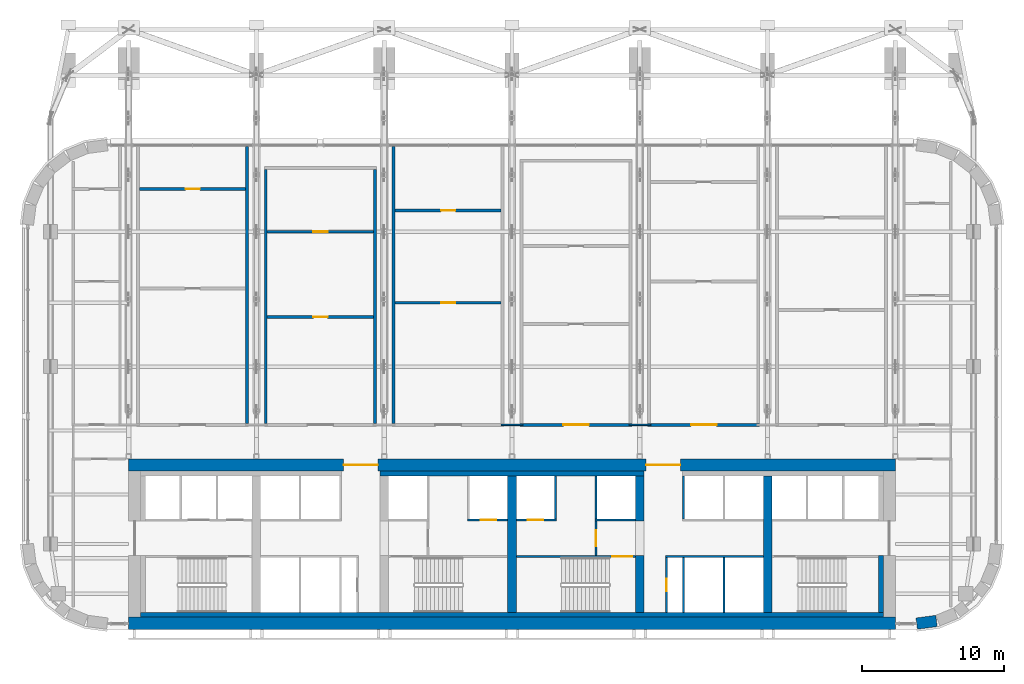
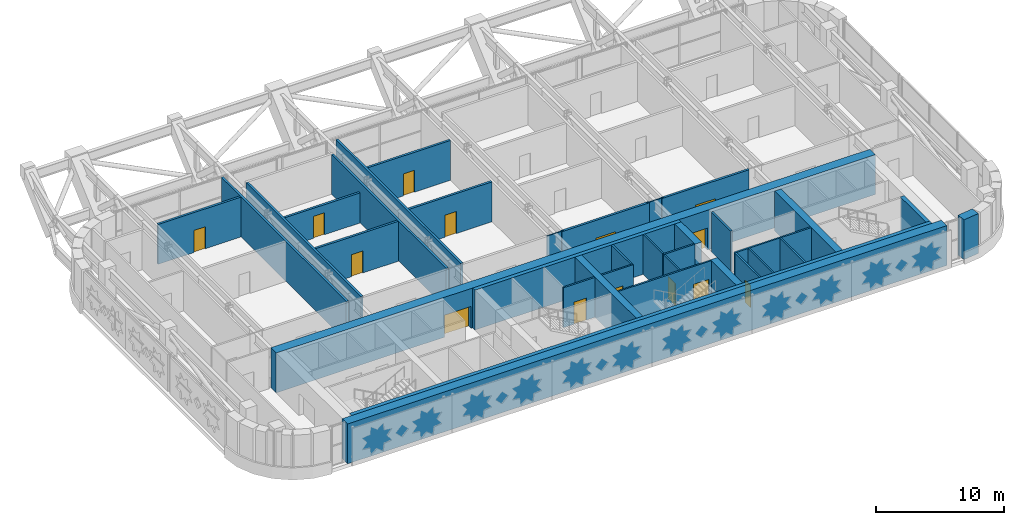
# One storey, part 13 of 23: 35 walls, 14 doors, 14 openings.
"""IFC4 building model written with IfcOpenShell, lengths in metres."""

import ifcopenshell
import ifcopenshell.guid

model = None  # the IFC model being written
_history = None  # IfcOwnerHistory: only IFC2X3 demands one
_inside = {}  # id of a spatial element -> (the spatial element, [elements in it])
_under = {}  # id of a project, library or spatial element -> (it, [spatial elements below it])
_declared = {}  # id of a project -> (the project, [libraries it declares])
_typed = {}  # id of a type object -> (the type object, [elements of that type])
_made_of = {}  # id of a material, layer set ... -> (it, [elements and type objects made of it])


def new_model(schema):
    """Start an empty IFC model of exactly this schema.

    Asked for "IFC4X3", IfcOpenShell would pick the latest addendum, in which some entities
    have other attributes; the version numbers below select the first issue.
    IFC2X3 requires an IfcOwnerHistory on every rooted entity: one is made here for all.
    """
    global model, _history
    if schema == "IFC4X3":
        model = ifcopenshell.file(schema_version=(4, 3, 0, 0))
    else:
        model = ifcopenshell.file(schema=schema)
    _inside.clear()
    _under.clear()
    _declared.clear()
    _typed.clear()
    _made_of.clear()
    _history = None
    if model.schema == "IFC2X3":
        org = make("IfcOrganization", Name="unknown")
        user = make(
            "IfcPersonAndOrganization",
            ThePerson=make("IfcPerson", FamilyName="unknown"),
            TheOrganization=org,
        )
        app = make(
            "IfcApplication",
            ApplicationDeveloper=org,
            Version="unknown",
            ApplicationFullName="unknown",
            ApplicationIdentifier="unknown",
        )
        _history = make(
            "IfcOwnerHistory",
            OwningUser=user,
            OwningApplication=app,
            ChangeAction="ADDED",
            CreationDate=0,
        )
    return model


def make(cls, **values):
    """One entity of the class cls with the attributes given. An attribute that is None is left unset."""
    return model.create_entity(
        cls, **{name: value for name, value in values.items() if value is not None}
    )


def rooted(cls, **values):
    """An entity with a GlobalId (a new one), such as an element, a storey or a relation."""
    return make(cls, GlobalId=ifcopenshell.guid.new(), OwnerHistory=_history, **values)


def si_unit(unit_type, name, prefix=None):
    """IfcSIUnit, for example si_unit("LENGTHUNIT", "METRE", prefix="MILLI")."""
    return make("IfcSIUnit", UnitType=unit_type, Prefix=prefix, Name=name)


def assignment(units):
    """IfcUnitAssignment: the units of a project."""
    return None if units is None else make("IfcUnitAssignment", Units=units)


def point(xyz):
    """IfcCartesianPoint."""
    return None if xyz is None else make("IfcCartesianPoint", Coordinates=xyz)


def direction(xyz):
    """IfcDirection."""
    return None if xyz is None else make("IfcDirection", DirectionRatios=xyz)


def frame(location, z_axis=None, x_axis=None):
    """IfcAxis2Placement3D, a coordinate frame: its origin and axes. An axis left out is left unset."""
    return make(
        "IfcAxis2Placement3D",
        Location=point(location),
        Axis=direction(z_axis),
        RefDirection=direction(x_axis),
    )


def frame_2d(location, x_axis=None):
    """IfcAxis2Placement2D, a coordinate frame in the plane: its origin and x axis."""
    return make(
        "IfcAxis2Placement2D", Location=point(location), RefDirection=direction(x_axis)
    )


def origin():
    """The frame at (0, 0, 0) with its axes left unset."""
    return frame((0.0, 0.0, 0.0))


def place(relative_to, where):
    """IfcLocalPlacement: puts the frame where relative to a parent placement (None: the world)."""
    return make(
        "IfcLocalPlacement", PlacementRelTo=relative_to, RelativePlacement=where
    )


def context(
    kind, dimensions, precision=None, world=None, true_north=None, identifier=None
):
    """IfcGeometricRepresentationContext, for example the 3D "Model" context."""
    return make(
        "IfcGeometricRepresentationContext",
        ContextIdentifier=identifier,
        ContextType=kind,
        CoordinateSpaceDimension=dimensions,
        Precision=precision,
        WorldCoordinateSystem=world,
        TrueNorth=true_north,
    )


def subcontext(parent, identifier, kind, view, scale=None):
    """IfcGeometricRepresentationSubContext, for example "Body" below "Model"."""
    return make(
        "IfcGeometricRepresentationSubContext",
        ContextIdentifier=identifier,
        ContextType=kind,
        ParentContext=parent,
        TargetScale=scale,
        TargetView=view,
    )


def project(units=None, contexts=None):
    """IfcProject with its units and contexts."""
    return rooted(
        "IfcProject",
        Name="project",
        RepresentationContexts=contexts,
        UnitsInContext=assignment(units),
    )


def spatial(cls, under=None, at=None, **own):
    """A site, building, storey or space (cls), placed at a placement, below another one or the project."""
    s = rooted(cls, ObjectPlacement=at, **own)
    if under is not None:
        _under.setdefault(under.id(), (under, []))[1].append(s)
    return s


def profile(cls, at=None, kind="AREA", **sizes):
    """A parametric profile (cls). Its sizes go by their IFC names, for example OverallWidth=200.0."""
    return make(cls, ProfileType=kind, Position=at, **sizes)


def rectangle(**sizes):
    """IfcRectangleProfileDef."""
    return profile("IfcRectangleProfileDef", **sizes)


def extrude(swept, where, along, depth):
    """IfcExtrudedAreaSolid: the profile swept, set in the frame where, extruded along a direction by depth."""
    return make(
        "IfcExtrudedAreaSolid",
        SweptArea=swept,
        Position=where,
        ExtrudedDirection=direction(along),
        Depth=depth,
    )


def shape(context_of_items, identifier, shape_type, items):
    """IfcShapeRepresentation: the items that make up one representation, for example the "Body"."""
    return make(
        "IfcShapeRepresentation",
        ContextOfItems=context_of_items,
        RepresentationIdentifier=identifier,
        RepresentationType=shape_type,
        Items=items,
    )


def material(Name=None, Category=None):
    """IfcMaterial."""
    return make("IfcMaterial", Name=Name, Category=Category)


def layer(
    of_material, thickness, ventilated=None, Name=None, Category=None, Priority=None
):
    """IfcMaterialLayer: one layer of a wall or slab, of a material (None: an air gap)."""
    return make(
        "IfcMaterialLayer",
        Material=of_material,
        LayerThickness=thickness,
        IsVentilated=ventilated,
        Name=Name,
        Category=Category,
        Priority=Priority,
    )


def layer_set(layers, Name=None):
    """IfcMaterialLayerSet."""
    return make("IfcMaterialLayerSet", MaterialLayers=layers, LayerSetName=Name)


def made_of(thing, what):
    """Note that an element or type object is made of a material, layer set ...; save() writes the relation."""
    if what is not None:
        _made_of.setdefault(what.id(), (what, []))[1].append(thing)
    return thing


def type_object(cls, material=None, **own):
    """A type object (cls), such as IfcWallType, which elements share."""
    return made_of(rooted(cls, **own), material)


def element(
    cls,
    number,
    at=None,
    inside=None,
    cuts=None,
    type_object=None,
    material=None,
    context=None,
    identifier="Body",
    shape_type=None,
    held_by="IfcProductDefinitionShape",
    body=None,
    shapes=None,
    **own,
):
    """One element of the class cls, such as IfcWall. Its Tag is "e" and its number.

    at: its placement. inside: the storey or other place that contains it. cuts: it is an
    opening in that element (IfcRelVoidsElement). A single representation is given by context,
    identifier, shape_type and body (its items); several are given by shapes. held_by: the class
    of the entity that holds the representations. save() writes the other relations.
    """
    e = rooted(cls, Tag="e%d" % number, ObjectPlacement=at, **own)
    if body is not None:
        shapes = [shape(context, identifier, shape_type, body)]
    if shapes is not None:
        e.Representation = make(held_by, Representations=shapes)
    if inside is not None:
        _inside.setdefault(inside.id(), (inside, []))[1].append(e)
    if cuts is not None:
        rooted(
            "IfcRelVoidsElement", RelatingBuildingElement=cuts, RelatedOpeningElement=e
        )
    if type_object is not None:
        _typed.setdefault(type_object.id(), (type_object, []))[1].append(e)
    return made_of(e, material)


def fill(opening, filler):
    """IfcRelFillsElement: the door or window that sits in an opening."""
    return rooted(
        "IfcRelFillsElement",
        RelatingOpeningElement=opening,
        RelatedBuildingElement=filler,
    )


def aggregate(whole, parts):
    """IfcRelAggregates: a whole, such as a stair, and the parts it consists of."""
    return rooted("IfcRelAggregates", RelatingObject=whole, RelatedObjects=parts)


def save(model, path):
    """Write the relations noted so far, then the file.

    IfcRelAggregates (storeys below a building ...), IfcRelContainedInSpatialStructure (elements
    in a storey), IfcRelDefinesByType, IfcRelAssociatesMaterial and IfcRelDeclares: one each for
    every whole, place, type object, material and project.
    """
    for whole, parts in _under.values():
        aggregate(whole, parts)
    for where, things in _inside.values():
        rooted(
            "IfcRelContainedInSpatialStructure",
            RelatedElements=things,
            RelatingStructure=where,
        )
    for kind, things in _typed.values():
        rooted("IfcRelDefinesByType", RelatedObjects=things, RelatingType=kind)
    for what, things in _made_of.values():
        rooted("IfcRelAssociatesMaterial", RelatedObjects=things, RelatingMaterial=what)
    for by, libraries in _declared.values():
        rooted("IfcRelDeclares", RelatingContext=by, RelatedDefinitions=libraries)
    model.write(path)


model = new_model("IFC4")

# Units and contexts
model_context = context("Model", 3, precision=1e-05, world=origin(), true_north=direction((0.0, 1.0)))
body_context = subcontext(model_context, "Body", "Model", "MODEL_VIEW")
ifc_project = project(units=[si_unit("LENGTHUNIT", "METRE"), si_unit("AREAUNIT", "SQUARE_METRE"), si_unit("VOLUMEUNIT", "CUBIC_METRE"), si_unit("PLANEANGLEUNIT", "RADIAN"), si_unit("MASSUNIT", "GRAM", prefix="KILO")], contexts=[model_context])

# Site, building, storey
site_placement = place(None, origin())
site = spatial("IfcSite", under=ifc_project, at=site_placement, CompositionType="ELEMENT")
building_placement = place(site_placement, origin())
building = spatial("IfcBuilding", under=site, at=building_placement, Name="Zellij Exchange Tower", CompositionType="ELEMENT")
storey_placement = place(building_placement, frame((0.0, 0.0, 160.5)))
storey = spatial("IfcBuildingStorey", under=building, at=storey_placement, Name="L36", CompositionType="ELEMENT", Elevation=160.5)

# Walls
ifc_material_1 = material(Name="Concrete C60/75", Category="concrete")
ifc_layer_1 = layer(ifc_material_1, 0.60009765625)
ifc_layer_set_1 = layer_set([ifc_layer_1], Name="Concrete C60/75")
wall_type_1 = type_object("IfcWallType", Name="CORE-CW 600 C60/75", PredefinedType="SHEAR", material=ifc_layer_set_1)
wall_1_placement = place(storey_placement, frame((0.0, -12.800048828125, 0.0), z_axis=(0.0, 0.0, 1.0), x_axis=(0.0, 1.0, 0.0)))
element("IfcWall", 1, at=wall_1_placement, inside=storey, type_object=wall_type_1, Name="Core cross wall x 0 L36", PredefinedType="SHEAR", context=body_context, shape_type="SweptSolid", body=[
    extrude(rectangle(XDim=9.60009765625, YDim=0.60009765625, at=frame_2d((4.800048828125, 0.0))), origin(), (0.0, 0.0, 1.0), 3.800048828125),
])
wall_2_placement = place(storey_placement, frame((9.0, -12.800048828125, 0.0), z_axis=(0.0, 0.0, 1.0), x_axis=(0.0, 1.0, 0.0)))
element("IfcWall", 2, at=wall_2_placement, inside=storey, type_object=wall_type_1, Name="Core cross wall pier x 9 a L36", PredefinedType="SHEAR", context=body_context, shape_type="SweptSolid", body=[
    extrude(rectangle(XDim=4.0, YDim=0.60009765625, at=frame_2d((2.0, 0.0))), origin(), (0.0, 0.0, 1.0), 3.800048828125),
])
wall_3_placement = place(storey_placement, frame((9.0, -6.375, 0.0), z_axis=(0.0, 0.0, 1.0), x_axis=(0.0, 1.0, 0.0)))
element("IfcWall", 3, at=wall_3_placement, inside=storey, type_object=wall_type_1, Name="Core cross wall pier x 9 b L36", PredefinedType="SHEAR", context=body_context, shape_type="SweptSolid", body=[
    extrude(rectangle(XDim=3.175048828125, YDim=0.60009765625, at=frame_2d((1.58740234375, 0.0))), origin(), (0.0, 0.0, 1.0), 3.800048828125),
])
wall_4_placement = place(storey_placement, frame((18.0, -12.800048828125, 0.0), z_axis=(0.0, 0.0, 1.0), x_axis=(0.0, 1.0, 0.0)))
element("IfcWall", 4, at=wall_4_placement, inside=storey, type_object=wall_type_1, Name="Core cross wall x 18 L36", PredefinedType="SHEAR", context=body_context, shape_type="SweptSolid", body=[
    extrude(rectangle(XDim=9.60009765625, YDim=0.60009765625, at=frame_2d((4.800048828125, 0.0))), origin(), (0.0, 0.0, 1.0), 3.800048828125),
])
ifc_material_2 = material(Name="Concrete C30/37", Category="concrete")
ifc_layer_2 = layer(ifc_material_2, 0.35009765625)
ifc_layer_set_2 = layer_set([ifc_layer_2], Name="Concrete C30/37")
wall_type_2 = type_object("IfcWallType", Name="CORE-LW 350 C30/37", PredefinedType="SHEAR", material=ifc_layer_set_2)
wall_5_placement = place(storey_placement, frame((-9.300048828125, -3.02490234375, 0.0), z_axis=(0.0, 0.0, 1.0), x_axis=(1.0, 0.0, 0.0)))
element("IfcWall", 5, at=wall_5_placement, inside=storey, type_object=wall_type_2, Name="Core wall lining front.1 L36", PredefinedType="SHEAR", context=body_context, shape_type="SweptSolid", body=[
    extrude(rectangle(XDim=18.60009765625, YDim=0.35009765625, at=frame_2d((9.300048828125, 0.0))), origin(), (0.0, 0.0, 1.0), 3.800048828125),
])
wall_6_placement = place(storey_placement, frame((-26.14990234375, -12.97509765625, 0.0), z_axis=(0.0, 0.0, 1.0), x_axis=(1.0, 0.0, 0.0)))
element("IfcWall", 6, at=wall_6_placement, inside=storey, type_object=wall_type_2, Name="Core wall lining rear.0 L36", PredefinedType="SHEAR", context=body_context, shape_type="SweptSolid", body=[
    extrude(rectangle(XDim=52.2998046875, YDim=0.35009765625, at=frame_2d((26.14990234375, 0.0))), origin(), (0.0, 0.0, 1.0), 3.800048828125),
])
wall_7_placement = place(storey_placement, frame((25.97509765625, -12.800048828125, 0.0), z_axis=(0.0, 0.0, 1.0), x_axis=(0.0, 1.0, 0.0)))
element("IfcWall", 7, at=wall_7_placement, inside=storey, type_object=wall_type_2, Name="Core wall lining end e.0 L36", PredefinedType="SHEAR", context=body_context, shape_type="SweptSolid", body=[
    extrude(rectangle(XDim=4.0, YDim=0.35009765625, at=frame_2d((2.0, 0.0))), origin(), (0.0, 0.0, 1.0), 3.800048828125),
])

# Wall, opening, door
ifc_material_3 = material(Name="Gypsum shaft wall system")
ifc_layer_3 = layer(ifc_material_3, 0.14990234375)
ifc_layer_set_3 = layer_set([ifc_layer_3], Name="Gypsum shaft wall system")
wall_type_3 = type_object("IfcWallType", Name="CORE-PW 150 Firefighting lobby wall", PredefinedType="PARTITIONING", material=ifc_layer_set_3)
wall_8_placement = place(storey_placement, frame((5.925048828125, -8.800048828125, 0.0), z_axis=(0.0, 0.0, 1.0), x_axis=(0.0, 1.0, 0.0)))
wall_8 = element("IfcWall", 8, at=wall_8_placement, inside=storey, type_object=wall_type_3, Name="Firefighting lobby wall L36", PredefinedType="PARTITIONING", context=body_context, shape_type="SweptSolid", body=[
    extrude(rectangle(XDim=2.425048828125, YDim=0.14990234375, at=frame_2d((1.21240234375, 0.0))), origin(), (0.0, 0.0, 1.0), 3.800048828125),
])
opening_1_placement = place(wall_8_placement, frame((0.662109375, 0.0, 0.0)))
opening_1 = element("IfcOpeningElement", 9, at=opening_1_placement, cuts=wall_8, Name="Opening CA-20.11", PredefinedType="OPENING", context=body_context, shape_type="SweptSolid", body=[
    extrude(rectangle(XDim=1.10009765625, YDim=2.10009765625, at=frame_2d((0.550048828125, 1.050048828125))), frame((0.0, 0.0869140625, 0.0), z_axis=(0.0, -1.0, 0.0), x_axis=(1.0, 0.0, 0.0)), (0.0, 0.0, 1.0), 0.173828125),
])
ifc_material_4 = material(Name="Hollow metal fire door")
door_type_1 = type_object("IfcDoorType", Name="CORE-D F Firefighting lobby door 1100x2100 1 HR", OperationType="NOTDEFINED", PredefinedType="DOOR", material=ifc_material_4)
door_1_placement = place(opening_1_placement, origin())
door_1 = element("IfcDoor", 10, at=door_1_placement, inside=storey, type_object=door_type_1, Name="Firefighting lobby door CA-20.11", OperationType="SINGLE_SWING_RIGHT", OverallHeight=2.10009765625, OverallWidth=1.10009765625, PredefinedType="DOOR", context=body_context, shape_type="SweptSolid", body=[
    extrude(rectangle(XDim=1.10009765625, YDim=2.10009765625, at=frame_2d((0.550048828125, 1.050048828125))), frame((0.0, 0.02490234375, 0.0), z_axis=(0.0, -1.0, 0.0), x_axis=(1.0, 0.0, 0.0)), (0.0, 0.0, 1.0), 0.050048828125),
])
fill(opening_1, door_1)

# Walls
ifc_layer_4 = layer(ifc_material_3, 0.14990234375)
ifc_layer_set_4 = layer_set([ifc_layer_4], Name="Gypsum shaft wall system")
wall_type_4 = type_object("IfcWallType", Name="CORE-PW 150 Lift shaft wall", PredefinedType="PARTITIONING", material=ifc_layer_set_4)
for number, where, z_axis, x_axis, name in (
    (11, (3.074951171875, -6.22509765625, 0.0), (0.0, 0.0, 1.0), (0.0, 1.0, 0.0), "Lift shaft wall L36"),
    (12, (5.925048828125, -6.22509765625, 0.0), (0.0, 0.0, 1.0), (0.0, 1.0, 0.0), "Lift shaft wall L36"),
    (13, (12.074951171875, -6.22509765625, 0.0), (0.0, 0.0, 1.0), (0.0, 1.0, 0.0), "Lift shaft wall L36"),
):
    element("IfcWall", number, at=place(storey_placement, frame(where, z_axis=z_axis, x_axis=x_axis)), inside=storey, type_object=wall_type_4, Name=name, PredefinedType="PARTITIONING", context=body_context, shape_type="SweptSolid", body=[
        extrude(rectangle(XDim=3.025146484375, YDim=0.14990234375, at=frame_2d((1.5126953125, 0.0))), origin(), (0.0, 0.0, 1.0), 3.800048828125),
    ])
for number, where, z_axis, x_axis, name in (
    (14, (12.074951171875, -12.800048828125, 0.0), (0.0, 0.0, 1.0), (0.0, 1.0, 0.0), "Lift shaft wall L36"),
    (15, (14.925048828125, -12.800048828125, 0.0), (0.0, 0.0, 1.0), (0.0, 1.0, 0.0), "Lift shaft wall L36"),
):
    element("IfcWall", number, at=place(storey_placement, frame(where, z_axis=z_axis, x_axis=x_axis)), inside=storey, type_object=wall_type_4, Name=name, PredefinedType="PARTITIONING", context=body_context, shape_type="SweptSolid", body=[
        extrude(rectangle(XDim=3.85009765625, YDim=0.14990234375, at=frame_2d((1.925048828125, 0.0))), origin(), (0.0, 0.0, 1.0), 3.800048828125),
    ])

# Wall, opening, door
wall_9_placement = place(storey_placement, frame((-3.14990234375, -6.300048828125, 0.0), z_axis=(0.0, 0.0, 1.0), x_axis=(1.0, 0.0, 0.0)))
wall_9 = element("IfcWall", 16, at=wall_9_placement, inside=storey, type_object=wall_type_4, Name="Lift shaft wall L36", PredefinedType="PARTITIONING", context=body_context, shape_type="SweptSolid", body=[
    extrude(rectangle(XDim=2.849853515625, YDim=0.14990234375, at=frame_2d((1.4248046875, 0.0))), origin(), (0.0, 0.0, 1.0), 3.800048828125),
])
opening_2_placement = place(wall_9_placement, frame((0.949951171875, 0.0, 0.0)))
opening_2 = element("IfcOpeningElement", 17, at=opening_2_placement, cuts=wall_9, Name="Opening CA-20.09", PredefinedType="OPENING", context=body_context, shape_type="SweptSolid", body=[
    extrude(rectangle(XDim=1.10009765625, YDim=2.10009765625, at=frame_2d((0.550048828125, 1.050048828125))), frame((0.0, 0.0869140625, 0.0), z_axis=(0.0, -1.0, 0.0), x_axis=(1.0, 0.0, 0.0)), (0.0, 0.0, 1.0), 0.173828125),
])
door_type_2 = type_object("IfcDoorType", Name="CORE-D LD Lift landing door 1100x2100 1.5 HR", OperationType="NOTDEFINED", PredefinedType="DOOR", material=ifc_material_4)
door_2_placement = place(opening_2_placement, origin())
door_2 = element("IfcDoor", 18, at=door_2_placement, inside=storey, type_object=door_type_2, Name="Lift landing door CA-20.09", OperationType="SLIDING_TO_LEFT", OverallHeight=2.10009765625, OverallWidth=1.10009765625, PredefinedType="DOOR", context=body_context, shape_type="SweptSolid", body=[
    extrude(rectangle(XDim=1.10009765625, YDim=2.10009765625, at=frame_2d((0.550048828125, 1.050048828125))), frame((0.0, 0.02490234375, 0.0), z_axis=(0.0, -1.0, 0.0), x_axis=(1.0, 0.0, 0.0)), (0.0, 0.0, 1.0), 0.050048828125),
])
fill(opening_2, door_2)

wall_10_placement = place(storey_placement, frame((0.300048828125, -6.300048828125, 0.0), z_axis=(0.0, 0.0, 1.0), x_axis=(1.0, 0.0, 0.0)))
wall_10 = element("IfcWall", 19, at=wall_10_placement, inside=storey, type_object=wall_type_4, Name="Lift shaft wall L36", PredefinedType="PARTITIONING", context=body_context, shape_type="SweptSolid", body=[
    extrude(rectangle(XDim=2.849853515625, YDim=0.14990234375, at=frame_2d((1.4248046875, 0.0))), origin(), (0.0, 0.0, 1.0), 3.800048828125),
])
opening_3_placement = place(wall_10_placement, frame((0.800048828125, 0.0, 0.0)))
opening_3 = element("IfcOpeningElement", 20, at=opening_3_placement, cuts=wall_10, Name="Opening CA-20.10", PredefinedType="OPENING", context=body_context, shape_type="SweptSolid", body=[
    extrude(rectangle(XDim=1.10009765625, YDim=2.10009765625, at=frame_2d((0.550048828125, 1.050048828125))), frame((0.0, 0.0869140625, 0.0), z_axis=(0.0, -1.0, 0.0), x_axis=(1.0, 0.0, 0.0)), (0.0, 0.0, 1.0), 0.173828125),
])
door_3_placement = place(opening_3_placement, origin())
door_3 = element("IfcDoor", 21, at=door_3_placement, inside=storey, type_object=door_type_2, Name="Lift landing door CA-20.10", OperationType="SLIDING_TO_RIGHT", OverallHeight=2.10009765625, OverallWidth=1.10009765625, PredefinedType="DOOR", context=body_context, shape_type="SweptSolid", body=[
    extrude(rectangle(XDim=1.10009765625, YDim=2.10009765625, at=frame_2d((0.550048828125, 1.050048828125))), frame((0.0, 0.02490234375, 0.0), z_axis=(0.0, -1.0, 0.0), x_axis=(1.0, 0.0, 0.0)), (0.0, 0.0, 1.0), 0.050048828125),
])
fill(opening_3, door_3)

# Walls
wall_11_placement = place(storey_placement, frame((5.85009765625, -6.300048828125, 0.0), z_axis=(0.0, 0.0, 1.0), x_axis=(1.0, 0.0, 0.0)))
element("IfcWall", 22, at=wall_11_placement, inside=storey, type_object=wall_type_4, Name="Lift shaft wall L36", PredefinedType="PARTITIONING", context=body_context, shape_type="SweptSolid", body=[
    extrude(rectangle(XDim=2.849853515625, YDim=0.14990234375, at=frame_2d((1.4248046875, 0.0))), origin(), (0.0, 0.0, 1.0), 3.800048828125),
])
wall_12_placement = place(storey_placement, frame((10.800048828125, -8.875, 0.0), z_axis=(0.0, 0.0, 1.0), x_axis=(1.0, 0.0, 0.0)))
element("IfcWall", 23, at=wall_12_placement, inside=storey, type_object=wall_type_4, Name="Lift shaft wall L36", PredefinedType="PARTITIONING", context=body_context, shape_type="SweptSolid", body=[
    extrude(rectangle(XDim=6.89990234375, YDim=0.14990234375, at=frame_2d((3.449951171875, 0.0))), origin(), (0.0, 0.0, 1.0), 3.800048828125),
])

# Wall, opening, door
ifc_layer_5 = layer(ifc_material_3, 0.14990234375)
ifc_layer_set_5 = layer_set([ifc_layer_5], Name="Gypsum shaft wall system")
wall_type_5 = type_object("IfcWallType", Name="CORE-PW 150 Plant room wall", PredefinedType="PARTITIONING", material=ifc_layer_set_5)
wall_13_placement = place(storey_placement, frame((10.875, -12.800048828125, 0.0), z_axis=(0.0, 0.0, 1.0), x_axis=(0.0, 1.0, 0.0)))
wall_13 = element("IfcWall", 24, at=wall_13_placement, inside=storey, type_object=wall_type_5, Name="Plant room wall L36", PredefinedType="PARTITIONING", context=body_context, shape_type="SweptSolid", body=[
    extrude(rectangle(XDim=3.85009765625, YDim=0.14990234375, at=frame_2d((1.925048828125, 0.0))), origin(), (0.0, 0.0, 1.0), 3.800048828125),
])
opening_4_placement = place(wall_13_placement, frame((1.47509765625, 0.0, 0.0)))
opening_4 = element("IfcOpeningElement", 25, at=opening_4_placement, cuts=wall_13, Name="Opening CA-20.14", PredefinedType="OPENING", context=body_context, shape_type="SweptSolid", body=[
    extrude(rectangle(XDim=0.89990234375, YDim=2.10009765625, at=frame_2d((0.449951171875, 1.050048828125))), frame((0.0, 0.0869140625, 0.0), z_axis=(0.0, -1.0, 0.0), x_axis=(1.0, 0.0, 0.0)), (0.0, 0.0, 1.0), 0.173828125),
])
door_type_3 = type_object("IfcDoorType", Name="CORE-D RD Riser door 900x2100 1.5 HR", OperationType="NOTDEFINED", PredefinedType="DOOR", material=ifc_material_4)
door_4_placement = place(opening_4_placement, origin())
door_4 = element("IfcDoor", 26, at=door_4_placement, inside=storey, type_object=door_type_3, Name="Riser door CA-20.14", OperationType="SINGLE_SWING_LEFT", OverallHeight=2.10009765625, OverallWidth=0.89990234375, PredefinedType="DOOR", context=body_context, shape_type="SweptSolid", body=[
    extrude(rectangle(XDim=0.89990234375, YDim=2.10009765625, at=frame_2d((0.449951171875, 1.050048828125))), frame((0.0, 0.02490234375, 0.0), z_axis=(0.0, -1.0, 0.0), x_axis=(1.0, 0.0, 0.0)), (0.0, 0.0, 1.0), 0.050048828125),
])
fill(opening_4, door_4)

# Wall, openings, doors
ifc_layer_6 = layer(ifc_material_1, 0.85009765625)
ifc_layer_set_6 = layer_set([ifc_layer_6], Name="Concrete C60/75")
wall_type_6 = type_object("IfcWallType", Name="CORE-SW 850 C60/75", PredefinedType="SHEAR", material=ifc_layer_set_6)
wall_14_placement = place(storey_placement, frame((-27.0, -2.425048828125, 0.0), z_axis=(0.0, 0.0, 1.0), x_axis=(1.0, 0.0, 0.0)))
wall_14 = element("IfcWall", 27, at=wall_14_placement, inside=storey, type_object=wall_type_6, Name="Core shear wall front L36", PredefinedType="SHEAR", context=body_context, shape_type="SweptSolid", body=[
    extrude(rectangle(XDim=54.0, YDim=0.85009765625, at=frame_2d((27.0, 0.0))), origin(), (0.0, 0.0, 1.0), 3.800048828125),
])
opening_5_placement = place(wall_14_placement, frame((15.14990234375, 0.0, 0.0)))
opening_5 = element("IfcOpeningElement", 28, at=opening_5_placement, cuts=wall_14, Name="Opening CA-20.06", PredefinedType="OPENING", context=body_context, shape_type="SweptSolid", body=[
    extrude(rectangle(XDim=2.39990234375, YDim=2.10009765625, at=frame_2d((1.199951171875, 1.050048828125))), frame((0.0, 0.43701171875, 0.0), z_axis=(0.0, -1.0, 0.0), x_axis=(1.0, 0.0, 0.0)), (0.0, 0.0, 1.0), 0.8740234375),
])
opening_6_placement = place(wall_14_placement, frame((36.449951171875, 0.0, 0.0)))
opening_6 = element("IfcOpeningElement", 29, at=opening_6_placement, cuts=wall_14, Name="Opening CA-20.13", PredefinedType="OPENING", context=body_context, shape_type="SweptSolid", body=[
    extrude(rectangle(XDim=2.39990234375, YDim=2.10009765625, at=frame_2d((1.199951171875, 1.050048828125))), frame((0.0, 0.43701171875, 0.0), z_axis=(0.0, -1.0, 0.0), x_axis=(1.0, 0.0, 0.0)), (0.0, 0.0, 1.0), 0.8740234375),
])
door_type_4 = type_object("IfcDoorType", Name="CORE-D CE Core entrance door 2400x2100 20 MIN", OperationType="NOTDEFINED", PredefinedType="DOOR", material=ifc_material_4)
door_5_placement = place(opening_5_placement, origin())
door_5 = element("IfcDoor", 30, at=door_5_placement, inside=storey, type_object=door_type_4, Name="Core entrance door CA-20.06", OperationType="DOUBLE_DOOR_SINGLE_SWING", OverallHeight=2.10009765625, OverallWidth=2.39990234375, PredefinedType="DOOR", context=body_context, shape_type="SweptSolid", body=[
    extrude(rectangle(XDim=2.39990234375, YDim=2.10009765625, at=frame_2d((1.199951171875, 1.050048828125))), frame((0.0, 0.02490234375, 0.0), z_axis=(0.0, -1.0, 0.0), x_axis=(1.0, 0.0, 0.0)), (0.0, 0.0, 1.0), 0.050048828125),
])
fill(opening_5, door_5)
door_6_placement = place(opening_6_placement, origin())
door_6 = element("IfcDoor", 31, at=door_6_placement, inside=storey, type_object=door_type_4, Name="Core entrance door CA-20.13", OperationType="DOUBLE_DOOR_SINGLE_SWING", OverallHeight=2.10009765625, OverallWidth=2.39990234375, PredefinedType="DOOR", context=body_context, shape_type="SweptSolid", body=[
    extrude(rectangle(XDim=2.39990234375, YDim=2.10009765625, at=frame_2d((1.199951171875, 1.050048828125))), frame((0.0, 0.02490234375, 0.0), z_axis=(0.0, -1.0, 0.0), x_axis=(1.0, 0.0, 0.0)), (0.0, 0.0, 1.0), 0.050048828125),
])
fill(opening_6, door_6)

# Wall
wall_15_placement = place(storey_placement, frame((-27.0, -13.574951171875, 0.0), z_axis=(0.0, 0.0, 1.0), x_axis=(1.0, 0.0, 0.0)))
element("IfcWall", 32, at=wall_15_placement, inside=storey, type_object=wall_type_6, Name="Core shear wall rear L36", PredefinedType="SHEAR", context=body_context, shape_type="SweptSolid", body=[
    extrude(rectangle(XDim=54.0, YDim=0.85009765625, at=frame_2d((27.0, 0.0))), origin(), (0.0, 0.0, 1.0), 3.800048828125),
])

# Wall, opening, door
ifc_layer_7 = layer(ifc_material_1, 0.14990234375)
ifc_layer_set_7 = layer_set([ifc_layer_7], Name="Concrete C60/75")
wall_type_7 = type_object("IfcWallType", Name="CORE-SWS 150 C60/75", PredefinedType="SHEAR", material=ifc_layer_set_7)
wall_16_placement = place(storey_placement, frame((0.300048828125, -8.875, 0.0), z_axis=(0.0, 0.0, 1.0), x_axis=(1.0, 0.0, 0.0)))
wall_16 = element("IfcWall", 33, at=wall_16_placement, inside=storey, type_object=wall_type_7, Name="Stair enclosure wall L36", PredefinedType="SHEAR", context=body_context, shape_type="SweptSolid", body=[
    extrude(rectangle(XDim=8.39990234375, YDim=0.14990234375, at=frame_2d((4.199951171875, 0.0))), origin(), (0.0, 0.0, 1.0), 3.800048828125),
])
opening_7_placement = place(wall_16_placement, frame((6.77490234375, 0.0, 0.0)))
opening_7 = element("IfcOpeningElement", 34, at=opening_7_placement, cuts=wall_16, Name="Opening CA-20.12", PredefinedType="OPENING", context=body_context, shape_type="SweptSolid", body=[
    extrude(rectangle(XDim=1.39990234375, YDim=2.10009765625, at=frame_2d((0.699951171875, 1.050048828125))), frame((0.0, 0.0869140625, 0.0), z_axis=(0.0, -1.0, 0.0), x_axis=(1.0, 0.0, 0.0)), (0.0, 0.0, 1.0), 0.173828125),
])
door_type_5 = type_object("IfcDoorType", Name="CORE-D SD Stair door 1400x2100 1.5 HR", OperationType="NOTDEFINED", PredefinedType="DOOR", material=ifc_material_4)
door_7_placement = place(opening_7_placement, origin())
door_7 = element("IfcDoor", 35, at=door_7_placement, inside=storey, type_object=door_type_5, Name="Stair door CA-20.12", OperationType="DOUBLE_DOOR_SINGLE_SWING", OverallHeight=2.10009765625, OverallWidth=1.39990234375, PredefinedType="DOOR", context=body_context, shape_type="SweptSolid", body=[
    extrude(rectangle(XDim=1.39990234375, YDim=2.10009765625, at=frame_2d((0.699951171875, 1.050048828125))), frame((0.0, 0.02490234375, 0.0), z_axis=(0.0, -1.0, 0.0), x_axis=(1.0, 0.0, 0.0)), (0.0, 0.0, 1.0), 0.050048828125),
])
fill(opening_7, door_7)

# Walls
ifc_material_5 = material(Name="Precast concrete C40/50", Category="concrete")
ifc_layer_8 = layer(ifc_material_5, 0.800048828125)
ifc_layer_set_8 = layer_set([ifc_layer_8], Name="Precast concrete C40/50")
wall_type_8 = type_object("IfcWallType", Name="ENV-EW1 Precast stone-piered wall 800", PredefinedType="SOLIDWALL", material=ifc_layer_set_8)
wall_17_placement = place(storey_placement, frame((28.499755859375, -13.5966796875, 0.0), z_axis=(0.0, 0.0, 1.0), x_axis=(0.99144603414, 0.130517283865, 0.0)))
element("IfcWall", 36, at=wall_17_placement, inside=storey, type_object=wall_type_8, Name="fac.L36.01", PredefinedType="SOLIDWALL", context=body_context, shape_type="SweptSolid", body=[
    extrude(rectangle(XDim=1.408447265625, YDim=0.800048828125, at=frame_2d((0.7041015625, 0.0))), origin(), (0.0, 0.0, 1.0), 3.800048828125),
])
ifc_material_6 = material(Name="Blockwork fire wall", Category="masonry")
ifc_layer_9 = layer(ifc_material_6, 0.199951171875)
ifc_layer_set_9 = layer_set([ifc_layer_9], Name="Blockwork fire wall")
wall_type_9 = type_object("IfcWallType", Name="FIT-BLOCKWORK-200-EI120", PredefinedType="PARTITIONING", material=ifc_layer_set_9)
wall_18_placement = place(storey_placement, frame((-18.659912109375, 0.5, 0.0), z_axis=(0.0, 0.0, 1.0), x_axis=(0.0, 1.0, 0.0)))
element("IfcWall", 37, at=wall_18_placement, inside=storey, type_object=wall_type_9, Name="FIT-BLOCKWORK-200-EI120 014", PredefinedType="PARTITIONING", context=body_context, shape_type="SweptSolid", body=[
    extrude(rectangle(XDim=19.49609375, YDim=0.199951171875, at=frame_2d((9.748046875, 0.0))), origin(), (0.0, 0.0, 1.0), 3.800048828125),
])
for number, where, z_axis, x_axis, name in (
    (38, (-17.340087890625, 0.5, 0.0), (0.0, 0.0, 1.0), (0.0, 1.0, 0.0), "FIT-BLOCKWORK-200-EI120 016"),
    (39, (-9.659912109375, 0.5, 0.0), (0.0, 0.0, 1.0), (0.0, 1.0, 0.0), "FIT-BLOCKWORK-200-EI120 018"),
):
    element("IfcWall", number, at=place(storey_placement, frame(where, z_axis=z_axis, x_axis=x_axis)), inside=storey, type_object=wall_type_9, Name=name, PredefinedType="PARTITIONING", context=body_context, shape_type="SweptSolid", body=[
        extrude(rectangle(XDim=17.89990234375, YDim=0.199951171875, at=frame_2d((8.949951171875, 0.0))), origin(), (0.0, 0.0, 1.0), 3.800048828125),
    ])
wall_19_placement = place(storey_placement, frame((-8.340087890625, 0.5, 0.0), z_axis=(0.0, 0.0, 1.0), x_axis=(0.0, 1.0, 0.0)))
element("IfcWall", 40, at=wall_19_placement, inside=storey, type_object=wall_type_9, Name="FIT-BLOCKWORK-200-EI120 020", PredefinedType="PARTITIONING", context=body_context, shape_type="SweptSolid", body=[
    extrude(rectangle(XDim=19.49609375, YDim=0.199951171875, at=frame_2d((9.748046875, 0.0))), origin(), (0.0, 0.0, 1.0), 3.800048828125),
])

# Wall, opening, door
wall_20_placement = place(storey_placement, frame((0.56005859375, 0.39990234375, 0.0), z_axis=(0.0, 0.0, 1.0), x_axis=(1.0, 0.0, 0.0)))
wall_20 = element("IfcWall", 41, at=wall_20_placement, inside=storey, type_object=wall_type_9, Name="FIT-BLOCKWORK-200-EI120 023", PredefinedType="PARTITIONING", context=body_context, shape_type="SweptSolid", body=[
    extrude(rectangle(XDim=7.8798828125, YDim=0.199951171875, at=frame_2d((3.93994140625, 0.0))), origin(), (0.0, 0.0, 1.0), 3.800048828125),
])
opening_8_placement = place(wall_20_placement, frame((3.050048828125, 0.0, 0.0)))
opening_8 = element("IfcOpeningElement", 42, at=opening_8_placement, cuts=wall_20, Name="Opening PL36.07", PredefinedType="OPENING", context=body_context, shape_type="SweptSolid", body=[
    extrude(rectangle(XDim=1.800048828125, YDim=2.10009765625, at=frame_2d((0.89990234375, 1.050048828125))), frame((0.0, 0.11181640625, 0.0), z_axis=(0.0, -1.0, 0.0), x_axis=(1.0, 0.0, 0.0)), (0.0, 0.0, 1.0), 0.223876953125),
])
ifc_material_7 = material(Name="Steel fire door set", Category="steel")
door_type_6 = type_object("IfcDoorType", Name="FIT-D5-FIRE-DOUBLE-1800X2100", OperationType="DOUBLE_DOOR_SINGLE_SWING", PredefinedType="DOOR", material=ifc_material_7)
door_8_placement = place(opening_8_placement, origin())
door_8 = element("IfcDoor", 43, at=door_8_placement, inside=storey, type_object=door_type_6, Name="Door PL36.07", OperationType="DOUBLE_DOOR_SINGLE_SWING", OverallHeight=2.10009765625, OverallWidth=1.800048828125, PredefinedType="DOOR", context=body_context, shape_type="SweptSolid", body=[
    extrude(rectangle(XDim=1.800048828125, YDim=2.10009765625, at=frame_2d((0.89990234375, 1.050048828125))), frame((0.0, 0.02490234375, 0.0), z_axis=(0.0, -1.0, 0.0), x_axis=(1.0, 0.0, 0.0)), (0.0, 0.0, 1.0), 0.050048828125),
])
fill(opening_8, door_8)

wall_21_placement = place(storey_placement, frame((9.56005859375, 0.39990234375, 0.0), z_axis=(0.0, 0.0, 1.0), x_axis=(1.0, 0.0, 0.0)))
wall_21 = element("IfcWall", 44, at=wall_21_placement, inside=storey, type_object=wall_type_9, Name="FIT-BLOCKWORK-200-EI120 027", PredefinedType="PARTITIONING", context=body_context, shape_type="SweptSolid", body=[
    extrude(rectangle(XDim=7.8798828125, YDim=0.199951171875, at=frame_2d((3.93994140625, 0.0))), origin(), (0.0, 0.0, 1.0), 3.800048828125),
])
opening_9_placement = place(wall_21_placement, frame((3.050048828125, 0.0, 0.0)))
opening_9 = element("IfcOpeningElement", 45, at=opening_9_placement, cuts=wall_21, Name="Opening PL36.08", PredefinedType="OPENING", context=body_context, shape_type="SweptSolid", body=[
    extrude(rectangle(XDim=1.800048828125, YDim=2.10009765625, at=frame_2d((0.89990234375, 1.050048828125))), frame((0.0, 0.11181640625, 0.0), z_axis=(0.0, -1.0, 0.0), x_axis=(1.0, 0.0, 0.0)), (0.0, 0.0, 1.0), 0.223876953125),
])
door_9_placement = place(opening_9_placement, origin())
door_9 = element("IfcDoor", 46, at=door_9_placement, inside=storey, type_object=door_type_6, Name="Door PL36.08", OperationType="DOUBLE_DOOR_SINGLE_SWING", OverallHeight=2.10009765625, OverallWidth=1.800048828125, PredefinedType="DOOR", context=body_context, shape_type="SweptSolid", body=[
    extrude(rectangle(XDim=1.800048828125, YDim=2.10009765625, at=frame_2d((0.89990234375, 1.050048828125))), frame((0.0, 0.02490234375, 0.0), z_axis=(0.0, -1.0, 0.0), x_axis=(1.0, 0.0, 0.0)), (0.0, 0.0, 1.0), 0.050048828125),
])
fill(opening_9, door_9)

wall_22_placement = place(storey_placement, frame((-17.239990234375, 8.0, 0.0), z_axis=(0.0, 0.0, 1.0), x_axis=(1.0, 0.0, 0.0)))
wall_22 = element("IfcWall", 47, at=wall_22_placement, inside=storey, type_object=wall_type_9, Name="FIT-BLOCKWORK-200-EI120 039", PredefinedType="PARTITIONING", context=body_context, shape_type="SweptSolid", body=[
    extrude(rectangle(XDim=7.47998046875, YDim=0.199951171875, at=frame_2d((3.739990234375, 0.0))), origin(), (0.0, 0.0, 1.0), 3.800048828125),
])
opening_10_placement = place(wall_22_placement, frame((3.25, 0.0, 0.0)))
opening_10 = element("IfcOpeningElement", 48, at=opening_10_placement, cuts=wall_22, Name="Opening PL36.12", PredefinedType="OPENING", context=body_context, shape_type="SweptSolid", body=[
    extrude(rectangle(XDim=1.0, YDim=2.10009765625, at=frame_2d((0.5, 1.050048828125))), frame((0.0, 0.11181640625, 0.0), z_axis=(0.0, -1.0, 0.0), x_axis=(1.0, 0.0, 0.0)), (0.0, 0.0, 1.0), 0.223876953125),
])
door_type_7 = type_object("IfcDoorType", Name="FIT-D4-FIRE-1000X2100", OperationType="SINGLE_SWING_LEFT", PredefinedType="DOOR", material=ifc_material_7)
door_10_placement = place(opening_10_placement, origin())
door_10 = element("IfcDoor", 49, at=door_10_placement, inside=storey, type_object=door_type_7, Name="Door PL36.12", OperationType="SINGLE_SWING_RIGHT", OverallHeight=2.10009765625, OverallWidth=1.0, PredefinedType="DOOR", context=body_context, shape_type="SweptSolid", body=[
    extrude(rectangle(XDim=1.0, YDim=2.10009765625, at=frame_2d((0.5, 1.050048828125))), frame((0.0, 0.02490234375, 0.0), z_axis=(0.0, -1.0, 0.0), x_axis=(1.0, 0.0, 0.0)), (0.0, 0.0, 1.0), 0.050048828125),
])
fill(opening_10, door_10)

wall_23_placement = place(storey_placement, frame((-8.239990234375, 9.0, 0.0), z_axis=(0.0, 0.0, 1.0), x_axis=(1.0, 0.0, 0.0)))
wall_23 = element("IfcWall", 50, at=wall_23_placement, inside=storey, type_object=wall_type_9, Name="FIT-BLOCKWORK-200-EI120 041", PredefinedType="PARTITIONING", context=body_context, shape_type="SweptSolid", body=[
    extrude(rectangle(XDim=7.47998046875, YDim=0.199951171875, at=frame_2d((3.739990234375, 0.0))), origin(), (0.0, 0.0, 1.0), 3.800048828125),
])
opening_11_placement = place(wall_23_placement, frame((3.25, 0.0, 0.0)))
opening_11 = element("IfcOpeningElement", 51, at=opening_11_placement, cuts=wall_23, Name="Opening PL36.14", PredefinedType="OPENING", context=body_context, shape_type="SweptSolid", body=[
    extrude(rectangle(XDim=1.0, YDim=2.10009765625, at=frame_2d((0.5, 1.050048828125))), frame((0.0, 0.11181640625, 0.0), z_axis=(0.0, -1.0, 0.0), x_axis=(1.0, 0.0, 0.0)), (0.0, 0.0, 1.0), 0.223876953125),
])
door_11_placement = place(opening_11_placement, origin())
door_11 = element("IfcDoor", 52, at=door_11_placement, inside=storey, type_object=door_type_7, Name="Door PL36.14", OperationType="SINGLE_SWING_RIGHT", OverallHeight=2.10009765625, OverallWidth=1.0, PredefinedType="DOOR", context=body_context, shape_type="SweptSolid", body=[
    extrude(rectangle(XDim=1.0, YDim=2.10009765625, at=frame_2d((0.5, 1.050048828125))), frame((0.0, 0.02490234375, 0.0), z_axis=(0.0, -1.0, 0.0), x_axis=(1.0, 0.0, 0.0)), (0.0, 0.0, 1.0), 0.050048828125),
])
fill(opening_11, door_11)

wall_24_placement = place(storey_placement, frame((-17.239990234375, 14.0, 0.0), z_axis=(0.0, 0.0, 1.0), x_axis=(1.0, 0.0, 0.0)))
wall_24 = element("IfcWall", 53, at=wall_24_placement, inside=storey, type_object=wall_type_9, Name="FIT-BLOCKWORK-200-EI120 047", PredefinedType="PARTITIONING", context=body_context, shape_type="SweptSolid", body=[
    extrude(rectangle(XDim=7.47998046875, YDim=0.199951171875, at=frame_2d((3.739990234375, 0.0))), origin(), (0.0, 0.0, 1.0), 2.867919921875),
])
opening_12_placement = place(wall_24_placement, frame((3.25, 0.0, 0.0)))
opening_12 = element("IfcOpeningElement", 54, at=opening_12_placement, cuts=wall_24, Name="Opening PL36.20", PredefinedType="OPENING", context=body_context, shape_type="SweptSolid", body=[
    extrude(rectangle(XDim=1.0, YDim=2.10009765625, at=frame_2d((0.5, 1.050048828125))), frame((0.0, 0.11181640625, 0.0), z_axis=(0.0, -1.0, 0.0), x_axis=(1.0, 0.0, 0.0)), (0.0, 0.0, 1.0), 0.223876953125),
])
door_12_placement = place(opening_12_placement, origin())
door_12 = element("IfcDoor", 55, at=door_12_placement, inside=storey, type_object=door_type_7, Name="Door PL36.20", OperationType="SINGLE_SWING_RIGHT", OverallHeight=2.10009765625, OverallWidth=1.0, PredefinedType="DOOR", context=body_context, shape_type="SweptSolid", body=[
    extrude(rectangle(XDim=1.0, YDim=2.10009765625, at=frame_2d((0.5, 1.050048828125))), frame((0.0, 0.02490234375, 0.0), z_axis=(0.0, -1.0, 0.0), x_axis=(1.0, 0.0, 0.0)), (0.0, 0.0, 1.0), 0.050048828125),
])
fill(opening_12, door_12)

wall_25_placement = place(storey_placement, frame((-8.239990234375, 15.5, 0.0), z_axis=(0.0, 0.0, 1.0), x_axis=(1.0, 0.0, 0.0)))
wall_25 = element("IfcWall", 56, at=wall_25_placement, inside=storey, type_object=wall_type_9, Name="FIT-BLOCKWORK-200-EI120 049", PredefinedType="PARTITIONING", context=body_context, shape_type="SweptSolid", body=[
    extrude(rectangle(XDim=7.47998046875, YDim=0.199951171875, at=frame_2d((3.739990234375, 0.0))), origin(), (0.0, 0.0, 1.0), 3.800048828125),
])
opening_13_placement = place(wall_25_placement, frame((3.25, 0.0, 0.0)))
opening_13 = element("IfcOpeningElement", 57, at=opening_13_placement, cuts=wall_25, Name="Opening PL36.22", PredefinedType="OPENING", context=body_context, shape_type="SweptSolid", body=[
    extrude(rectangle(XDim=1.0, YDim=2.10009765625, at=frame_2d((0.5, 1.050048828125))), frame((0.0, 0.11181640625, 0.0), z_axis=(0.0, -1.0, 0.0), x_axis=(1.0, 0.0, 0.0)), (0.0, 0.0, 1.0), 0.223876953125),
])
door_13_placement = place(opening_13_placement, origin())
door_13 = element("IfcDoor", 58, at=door_13_placement, inside=storey, type_object=door_type_7, Name="Door PL36.22", OperationType="SINGLE_SWING_RIGHT", OverallHeight=2.10009765625, OverallWidth=1.0, PredefinedType="DOOR", context=body_context, shape_type="SweptSolid", body=[
    extrude(rectangle(XDim=1.0, YDim=2.10009765625, at=frame_2d((0.5, 1.050048828125))), frame((0.0, 0.02490234375, 0.0), z_axis=(0.0, -1.0, 0.0), x_axis=(1.0, 0.0, 0.0)), (0.0, 0.0, 1.0), 0.050048828125),
])
fill(opening_13, door_13)

wall_26_placement = place(storey_placement, frame((-26.239990234375, 17.0, 0.0), z_axis=(0.0, 0.0, 1.0), x_axis=(1.0, 0.0, 0.0)))
wall_26 = element("IfcWall", 59, at=wall_26_placement, inside=storey, type_object=wall_type_9, Name="FIT-BLOCKWORK-200-EI120 054", PredefinedType="PARTITIONING", context=body_context, shape_type="SweptSolid", body=[
    extrude(rectangle(XDim=7.47998046875, YDim=0.199951171875, at=frame_2d((3.739990234375, 0.0))), origin(), (0.0, 0.0, 1.0), 3.800048828125),
])
opening_14_placement = place(wall_26_placement, frame((3.25, 0.0, 0.0)))
opening_14 = element("IfcOpeningElement", 60, at=opening_14_placement, cuts=wall_26, Name="Opening PL36.25", PredefinedType="OPENING", context=body_context, shape_type="SweptSolid", body=[
    extrude(rectangle(XDim=1.0, YDim=2.10009765625, at=frame_2d((0.5, 1.050048828125))), frame((0.0, 0.11181640625, 0.0), z_axis=(0.0, -1.0, 0.0), x_axis=(1.0, 0.0, 0.0)), (0.0, 0.0, 1.0), 0.223876953125),
])
door_14_placement = place(opening_14_placement, origin())
door_14 = element("IfcDoor", 61, at=door_14_placement, inside=storey, type_object=door_type_7, Name="Door PL36.25", OperationType="SINGLE_SWING_RIGHT", OverallHeight=2.10009765625, OverallWidth=1.0, PredefinedType="DOOR", context=body_context, shape_type="SweptSolid", body=[
    extrude(rectangle(XDim=1.0, YDim=2.10009765625, at=frame_2d((0.5, 1.050048828125))), frame((0.0, 0.02490234375, 0.0), z_axis=(0.0, -1.0, 0.0), x_axis=(1.0, 0.0, 0.0)), (0.0, 0.0, 1.0), 0.050048828125),
])
fill(opening_14, door_14)

# Walls
ifc_material_8 = material(Name="Gypsum board partition on steel studs", Category="steel")
ifc_layer_10 = layer(ifc_material_8, 0.10009765625)
ifc_layer_set_10 = layer_set([ifc_layer_10], Name="Gypsum board partition on steel studs")
wall_type_10 = type_object("IfcWallType", Name="FIT-PARTITION-100", PredefinedType="PARTITIONING", material=ifc_layer_set_10)
for number, where, z_axis, x_axis, name in (
    (62, (-0.760009765625, 0.39990234375, 0.0), (0.0, 0.0, 1.0), (1.0, 0.0, 0.0), "FIT-PARTITION-100 021"),
    (63, (8.239990234375, 0.39990234375, 0.0), (0.0, 0.0, 1.0), (1.0, 0.0, 0.0), "FIT-PARTITION-100 025"),
):
    element("IfcWall", number, at=place(storey_placement, frame(where, z_axis=z_axis, x_axis=x_axis)), inside=storey, type_object=wall_type_10, Name=name, PredefinedType="PARTITIONING", context=body_context, shape_type="SweptSolid", body=[
        extrude(rectangle(XDim=1.52001953125, YDim=0.10009765625, at=frame_2d((0.760009765625, 0.0))), origin(), (0.0, 0.0, 1.0), 3.800048828125),
    ])

save(model, "model.ifc")
